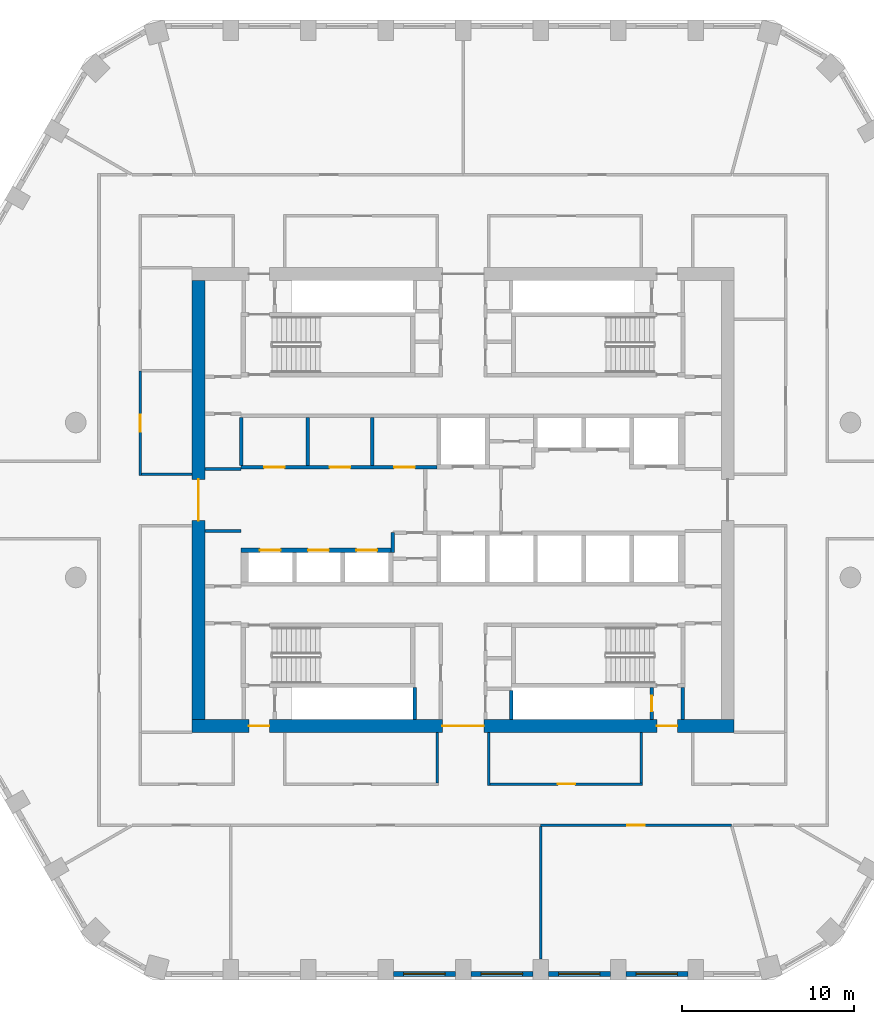
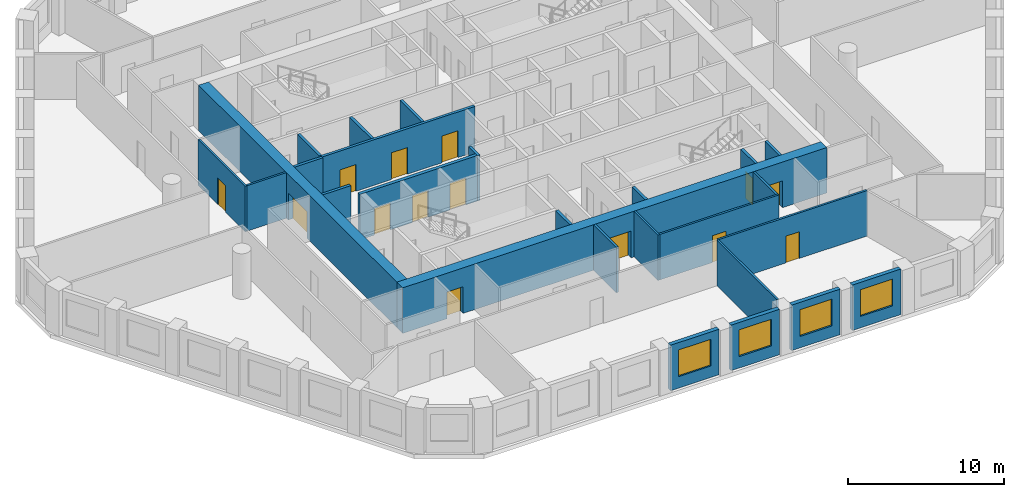
# One storey, part 3 of 10: 26 walls, 14 doors, 4 windows, 18 openings.
"""IFC4 building model written with IfcOpenShell, lengths in metres."""

from ifc_helpers import new_model, si_unit, direction, frame, frame_2d, origin, place, context, subcontext, project, spatial, rectangle, extrude, material, layer, layer_set, type_object, element, fill, save


model = new_model("IFC4")

# Units and contexts
model_context = context("Model", 3, precision=1e-05, world=origin(), true_north=direction((0.0, 1.0)))
body_context = subcontext(model_context, "Body", "Model", "MODEL_VIEW")
ifc_project = project(units=[si_unit("LENGTHUNIT", "METRE"), si_unit("AREAUNIT", "SQUARE_METRE"), si_unit("VOLUMEUNIT", "CUBIC_METRE"), si_unit("PLANEANGLEUNIT", "RADIAN"), si_unit("MASSUNIT", "GRAM", prefix="KILO")], contexts=[model_context])

# Site, building, storey
site_placement = place(None, origin())
site = spatial("IfcSite", under=ifc_project, at=site_placement, CompositionType="ELEMENT")
building_placement = place(site_placement, origin())
building = spatial("IfcBuilding", under=site, at=building_placement, Name="Dhurran Vertical Campus", CompositionType="ELEMENT")
storey_placement = place(building_placement, frame((0.0, 0.0, 144.300048828125)))
storey = spatial("IfcBuildingStorey", under=building, at=storey_placement, Name="L35", CompositionType="ELEMENT", Elevation=144.300048828125)

# Wall, opening, window
ifc_material_1 = material(Name="Precast concrete C50/60", Category="concrete")
ifc_layer_1 = layer(ifc_material_1, 0.300048828125)
ifc_layer_set_1 = layer_set([ifc_layer_1], Name="Precast concrete C50/60")
wall_type_1 = type_object("IfcWallType", Name="Precast spandrel wall 300", PredefinedType="SOLIDWALL", material=ifc_layer_set_1)
wall_1_placement = place(storey_placement, frame((-4.049560546875, -27.53271484375, 0.0), z_axis=(0.0, 0.0, 1.0), x_axis=(1.0, 0.0, 0.0)))
wall_1 = element("IfcWall", 1, at=wall_1_placement, inside=storey, type_object=wall_type_1, Name="EW1 L35.03", PredefinedType="SOLIDWALL", context=body_context, shape_type="SweptSolid", body=[
    extrude(rectangle(XDim=3.59912109375, YDim=0.300048828125, at=frame_2d((1.799560546875, 0.0))), origin(), (0.0, 0.0, 1.0), 3.574951171875),
])
opening_1_placement = place(wall_1_placement, frame((0.599609375, 0.0, 0.89990234375)))
opening_1 = element("IfcOpeningElement", 2, at=opening_1_placement, cuts=wall_1, Name="Opening WT1", PredefinedType="OPENING", context=body_context, shape_type="SweptSolid", body=[
    extrude(rectangle(XDim=2.39990234375, YDim=2.10009765625, at=frame_2d((1.199951171875, 1.050048828125))), frame((0.0, 0.159912109375, 0.0), z_axis=(0.0, -1.0, 0.0), x_axis=(1.0, 0.0, 0.0)), (0.0, 0.0, 1.0), 0.320068359375),
])
ifc_material_2 = material(Name="Aluminium frame with solar-control glass", Category="aluminium")
window_type = type_object("IfcWindowType", Name="Punched window 2400 x 2100", PartitioningType="SINGLE_PANEL", PredefinedType="WINDOW", material=ifc_material_2)
window_1_placement = place(opening_1_placement, origin())
window_1 = element("IfcWindow", 3, at=window_1_placement, inside=storey, type_object=window_type, Name="WT1 L35.03", OverallHeight=2.10009765625, OverallWidth=2.39990234375, PartitioningType="SINGLE_PANEL", PredefinedType="WINDOW", context=body_context, shape_type="SweptSolid", body=[
    extrude(rectangle(XDim=2.39990234375, YDim=2.10009765625, at=frame_2d((1.199951171875, 1.050048828125))), frame((0.0, 0.030029296875, 0.0), z_axis=(0.0, -1.0, 0.0), x_axis=(1.0, 0.0, 0.0)), (0.0, 0.0, 1.0), 0.06005859375),
])
fill(opening_1, window_1)

wall_2_placement = place(storey_placement, frame((0.450439453125, -27.53271484375, 0.0), z_axis=(0.0, 0.0, 1.0), x_axis=(1.0, 0.0, 0.0)))
wall_2 = element("IfcWall", 4, at=wall_2_placement, inside=storey, type_object=wall_type_1, Name="EW1 L35.04", PredefinedType="SOLIDWALL", context=body_context, shape_type="SweptSolid", body=[
    extrude(rectangle(XDim=3.59912109375, YDim=0.300048828125, at=frame_2d((1.799560546875, 0.0))), origin(), (0.0, 0.0, 1.0), 3.574951171875),
])
opening_2_placement = place(wall_2_placement, frame((0.599609375, 0.0, 0.89990234375)))
opening_2 = element("IfcOpeningElement", 5, at=opening_2_placement, cuts=wall_2, Name="Opening WT1", PredefinedType="OPENING", context=body_context, shape_type="SweptSolid", body=[
    extrude(rectangle(XDim=2.39990234375, YDim=2.10009765625, at=frame_2d((1.199951171875, 1.050048828125))), frame((0.0, 0.159912109375, 0.0), z_axis=(0.0, -1.0, 0.0), x_axis=(1.0, 0.0, 0.0)), (0.0, 0.0, 1.0), 0.320068359375),
])
window_2_placement = place(opening_2_placement, origin())
window_2 = element("IfcWindow", 6, at=window_2_placement, inside=storey, type_object=window_type, Name="WT1 L35.04", OverallHeight=2.10009765625, OverallWidth=2.39990234375, PartitioningType="SINGLE_PANEL", PredefinedType="WINDOW", context=body_context, shape_type="SweptSolid", body=[
    extrude(rectangle(XDim=2.39990234375, YDim=2.10009765625, at=frame_2d((1.199951171875, 1.050048828125))), frame((0.0, 0.030029296875, 0.0), z_axis=(0.0, -1.0, 0.0), x_axis=(1.0, 0.0, 0.0)), (0.0, 0.0, 1.0), 0.06005859375),
])
fill(opening_2, window_2)

wall_3_placement = place(storey_placement, frame((4.950439453125, -27.53271484375, 0.0), z_axis=(0.0, 0.0, 1.0), x_axis=(1.0, 0.0, 0.0)))
wall_3 = element("IfcWall", 7, at=wall_3_placement, inside=storey, type_object=wall_type_1, Name="EW1 L35.05", PredefinedType="SOLIDWALL", context=body_context, shape_type="SweptSolid", body=[
    extrude(rectangle(XDim=3.59912109375, YDim=0.300048828125, at=frame_2d((1.799560546875, 0.0))), origin(), (0.0, 0.0, 1.0), 3.574951171875),
])
opening_3_placement = place(wall_3_placement, frame((0.599609375, 0.0, 0.89990234375)))
opening_3 = element("IfcOpeningElement", 8, at=opening_3_placement, cuts=wall_3, Name="Opening WT1", PredefinedType="OPENING", context=body_context, shape_type="SweptSolid", body=[
    extrude(rectangle(XDim=2.39990234375, YDim=2.10009765625, at=frame_2d((1.199951171875, 1.050048828125))), frame((0.0, 0.159912109375, 0.0), z_axis=(0.0, -1.0, 0.0), x_axis=(1.0, 0.0, 0.0)), (0.0, 0.0, 1.0), 0.320068359375),
])
window_3_placement = place(opening_3_placement, origin())
window_3 = element("IfcWindow", 9, at=window_3_placement, inside=storey, type_object=window_type, Name="WT1 L35.05", OverallHeight=2.10009765625, OverallWidth=2.39990234375, PartitioningType="SINGLE_PANEL", PredefinedType="WINDOW", context=body_context, shape_type="SweptSolid", body=[
    extrude(rectangle(XDim=2.39990234375, YDim=2.10009765625, at=frame_2d((1.199951171875, 1.050048828125))), frame((0.0, 0.030029296875, 0.0), z_axis=(0.0, -1.0, 0.0), x_axis=(1.0, 0.0, 0.0)), (0.0, 0.0, 1.0), 0.06005859375),
])
fill(opening_3, window_3)

wall_4_placement = place(storey_placement, frame((9.450439453125, -27.53271484375, 0.0), z_axis=(0.0, 0.0, 1.0), x_axis=(1.0, 0.0, 0.0)))
wall_4 = element("IfcWall", 10, at=wall_4_placement, inside=storey, type_object=wall_type_1, Name="EW1 L35.06", PredefinedType="SOLIDWALL", context=body_context, shape_type="SweptSolid", body=[
    extrude(rectangle(XDim=3.59912109375, YDim=0.300048828125, at=frame_2d((1.799560546875, 0.0))), origin(), (0.0, 0.0, 1.0), 3.574951171875),
])
opening_4_placement = place(wall_4_placement, frame((0.599609375, 0.0, 0.89990234375)))
opening_4 = element("IfcOpeningElement", 11, at=opening_4_placement, cuts=wall_4, Name="Opening WT1", PredefinedType="OPENING", context=body_context, shape_type="SweptSolid", body=[
    extrude(rectangle(XDim=2.39990234375, YDim=2.10009765625, at=frame_2d((1.199951171875, 1.050048828125))), frame((0.0, 0.159912109375, 0.0), z_axis=(0.0, -1.0, 0.0), x_axis=(1.0, 0.0, 0.0)), (0.0, 0.0, 1.0), 0.320068359375),
])
window_4_placement = place(opening_4_placement, origin())
window_4 = element("IfcWindow", 12, at=window_4_placement, inside=storey, type_object=window_type, Name="WT1 L35.06", OverallHeight=2.10009765625, OverallWidth=2.39990234375, PartitioningType="SINGLE_PANEL", PredefinedType="WINDOW", context=body_context, shape_type="SweptSolid", body=[
    extrude(rectangle(XDim=2.39990234375, YDim=2.10009765625, at=frame_2d((1.199951171875, 1.050048828125))), frame((0.0, 0.030029296875, 0.0), z_axis=(0.0, -1.0, 0.0), x_axis=(1.0, 0.0, 0.0)), (0.0, 0.0, 1.0), 0.06005859375),
])
fill(opening_4, window_4)

# Wall, openings, doors
ifc_material_3 = material(Name="Concrete C60/75", Category="concrete")
ifc_layer_2 = layer(ifc_material_3, 0.75)
ifc_layer_set_2 = layer_set([ifc_layer_2], Name="Concrete C60/75")
wall_type_2 = type_object("IfcWallType", Name="co-CORE-WALL-C1-750", PredefinedType="SHEAR", material=ifc_layer_set_2)
wall_5_placement = place(storey_placement, frame((-15.75, -13.125, 0.0), z_axis=(0.0, 0.0, 1.0), x_axis=(1.0, 0.0, 0.0)))
wall_5 = element("IfcWall", 13, at=wall_5_placement, inside=storey, type_object=wall_type_2, Name="Core wall S L35", PredefinedType="SHEAR", context=body_context, shape_type="SweptSolid", body=[
    extrude(rectangle(XDim=31.5, YDim=0.75, at=frame_2d((15.75, 0.0))), origin(), (0.0, 0.0, 1.0), 3.574951171875),
])
opening_5_placement = place(wall_5_placement, frame((14.550048828125, 0.0, 0.0)))
opening_5 = element("IfcOpeningElement", 14, at=opening_5_placement, cuts=wall_5, Name="Opening CV2", PredefinedType="OPENING", context=body_context, shape_type="SweptSolid", body=[
    extrude(rectangle(XDim=2.39990234375, YDim=2.10009765625, at=frame_2d((1.199951171875, 1.050048828125))), frame((0.0, 0.385009765625, 0.0), z_axis=(0.0, -1.0, 0.0), x_axis=(1.0, 0.0, 0.0)), (0.0, 0.0, 1.0), 0.77001953125),
])
opening_6_placement = place(wall_5_placement, frame((3.300048828125, 0.0, 0.0)))
opening_6 = element("IfcOpeningElement", 15, at=opening_6_placement, cuts=wall_5, Name="Opening XD3", PredefinedType="OPENING", context=body_context, shape_type="SweptSolid", body=[
    extrude(rectangle(XDim=1.199951171875, YDim=2.10009765625, at=frame_2d((0.60009765625, 1.050048828125))), frame((0.0, 0.385009765625, 0.0), z_axis=(0.0, -1.0, 0.0), x_axis=(1.0, 0.0, 0.0)), (0.0, 0.0, 1.0), 0.77001953125),
])
opening_7_placement = place(wall_5_placement, frame((27.0, 0.0, 0.0)))
opening_7 = element("IfcOpeningElement", 16, at=opening_7_placement, cuts=wall_5, Name="Opening XD4", PredefinedType="OPENING", context=body_context, shape_type="SweptSolid", body=[
    extrude(rectangle(XDim=1.199951171875, YDim=2.10009765625, at=frame_2d((0.60009765625, 1.050048828125))), frame((0.0, 0.385009765625, 0.0), z_axis=(0.0, -1.0, 0.0), x_axis=(1.0, 0.0, 0.0)), (0.0, 0.0, 1.0), 0.77001953125),
])
ifc_material_4 = material(Name="Fire-rated glazed door set")
door_type_1 = type_object("IfcDoorType", Name="co-D-LOBBY 2400x2100", OperationType="DOUBLE_DOOR_DOUBLE_SWING", PredefinedType="DOOR", material=ifc_material_4)
door_1_placement = place(opening_5_placement, origin())
door_1 = element("IfcDoor", 17, at=door_1_placement, inside=storey, type_object=door_type_1, Name="Core vestibule door S L35", OperationType="DOUBLE_DOOR_DOUBLE_SWING", OverallHeight=2.10009765625, OverallWidth=2.39990234375, PredefinedType="DOOR", context=body_context, shape_type="SweptSolid", body=[
    extrude(rectangle(XDim=2.39990234375, YDim=2.10009765625, at=frame_2d((1.199951171875, 1.050048828125))), frame((0.0, 0.02490234375, 0.0), z_axis=(0.0, -1.0, 0.0), x_axis=(1.0, 0.0, 0.0)), (0.0, 0.0, 1.0), 0.050048828125),
])
fill(opening_5, door_1)
ifc_material_5 = material(Name="Fire-rated steel door set", Category="steel")
door_type_2 = type_object("IfcDoorType", Name="co-D-STAIR-EXIT 1200x2100", OperationType="SINGLE_SWING_RIGHT", PredefinedType="DOOR", material=ifc_material_5)
door_2_placement = place(opening_6_placement, origin())
door_2 = element("IfcDoor", 18, at=door_2_placement, inside=storey, type_object=door_type_2, Name="Stair ST3 exit door L35", OperationType="SINGLE_SWING_RIGHT", OverallHeight=2.10009765625, OverallWidth=1.199951171875, PredefinedType="DOOR", context=body_context, shape_type="SweptSolid", body=[
    extrude(rectangle(XDim=1.199951171875, YDim=2.10009765625, at=frame_2d((0.60009765625, 1.050048828125))), frame((0.0, 0.02490234375, 0.0), z_axis=(0.0, -1.0, 0.0), x_axis=(1.0, 0.0, 0.0)), (0.0, 0.0, 1.0), 0.050048828125),
])
fill(opening_6, door_2)
door_3_placement = place(opening_7_placement, origin())
door_3 = element("IfcDoor", 19, at=door_3_placement, inside=storey, type_object=door_type_2, Name="Stair ST4 exit door L35", OperationType="SINGLE_SWING_RIGHT", OverallHeight=2.10009765625, OverallWidth=1.199951171875, PredefinedType="DOOR", context=body_context, shape_type="SweptSolid", body=[
    extrude(rectangle(XDim=1.199951171875, YDim=2.10009765625, at=frame_2d((0.60009765625, 1.050048828125))), frame((0.0, 0.02490234375, 0.0), z_axis=(0.0, -1.0, 0.0), x_axis=(1.0, 0.0, 0.0)), (0.0, 0.0, 1.0), 0.050048828125),
])
fill(opening_7, door_3)

# Wall, opening, door
wall_6_placement = place(storey_placement, frame((-15.375, -12.75, 0.0), z_axis=(0.0, 0.0, 1.0), x_axis=(0.0, 1.0, 0.0)))
wall_6 = element("IfcWall", 20, at=wall_6_placement, inside=storey, type_object=wall_type_2, Name="Core wall W L35", PredefinedType="SHEAR", context=body_context, shape_type="SweptSolid", body=[
    extrude(rectangle(XDim=25.5, YDim=0.75, at=frame_2d((12.75, 0.0))), origin(), (0.0, 0.0, 1.0), 3.574951171875),
])
opening_8_placement = place(wall_6_placement, frame((11.550048828125, 0.0, 0.0)))
opening_8 = element("IfcOpeningElement", 21, at=opening_8_placement, cuts=wall_6, Name="Opening CL1", PredefinedType="OPENING", context=body_context, shape_type="SweptSolid", body=[
    extrude(rectangle(XDim=2.39990234375, YDim=2.10009765625, at=frame_2d((1.199951171875, 1.050048828125))), frame((0.0, 0.385009765625, 0.0), z_axis=(0.0, -1.0, 0.0), x_axis=(1.0, 0.0, 0.0)), (0.0, 0.0, 1.0), 0.77001953125),
])
door_4_placement = place(opening_8_placement, origin())
door_4 = element("IfcDoor", 22, at=door_4_placement, inside=storey, type_object=door_type_1, Name="Lift lobby door W L35", OperationType="DOUBLE_DOOR_DOUBLE_SWING", OverallHeight=2.10009765625, OverallWidth=2.39990234375, PredefinedType="DOOR", context=body_context, shape_type="SweptSolid", body=[
    extrude(rectangle(XDim=2.39990234375, YDim=2.10009765625, at=frame_2d((1.199951171875, 1.050048828125))), frame((0.0, 0.02490234375, 0.0), z_axis=(0.0, -1.0, 0.0), x_axis=(1.0, 0.0, 0.0)), (0.0, 0.0, 1.0), 0.050048828125),
])
fill(opening_8, door_4)

# Wall
ifc_material_6 = material(Name="Fire-rated masonry blockwork", Category="masonry")
ifc_layer_3 = layer(ifc_material_6, 0.199951171875)
ifc_layer_set_3 = layer_set([ifc_layer_3], Name="Fire-rated masonry blockwork")
wall_type_3 = type_object("IfcWallType", Name="co-FIRE-PARTITION-200", PredefinedType="PARTITIONING", material=ifc_layer_set_3)
wall_7_placement = place(storey_placement, frame((12.75, -12.75, 0.0), z_axis=(0.0, 0.0, 1.0), x_axis=(0.0, 1.0, 0.0)))
element("IfcWall", 23, at=wall_7_placement, inside=storey, type_object=wall_type_3, Name="Core partition pass-ST4-o L35", PredefinedType="PARTITIONING", context=body_context, shape_type="SweptSolid", body=[
    extrude(rectangle(XDim=1.85009765625, YDim=0.199951171875, at=frame_2d((0.925048828125, 0.0))), origin(), (0.0, 0.0, 1.0), 3.574951171875),
])

# Wall, opening, door
wall_8_placement = place(storey_placement, frame((10.949951171875, -12.75, 0.0), z_axis=(0.0, 0.0, 1.0), x_axis=(0.0, 1.0, 0.0)))
wall_8 = element("IfcWall", 24, at=wall_8_placement, inside=storey, type_object=wall_type_3, Name="Core partition pass-ST4-i L35", PredefinedType="PARTITIONING", context=body_context, shape_type="SweptSolid", body=[
    extrude(rectangle(XDim=1.85009765625, YDim=0.199951171875, at=frame_2d((0.925048828125, 0.0))), origin(), (0.0, 0.0, 1.0), 3.574951171875),
])
opening_9_placement = place(wall_8_placement, frame((0.47509765625, 0.0, 0.0)))
opening_9 = element("IfcOpeningElement", 25, at=opening_9_placement, cuts=wall_8, Name="Opening T10-C14", PredefinedType="OPENING", context=body_context, shape_type="SweptSolid", body=[
    extrude(rectangle(XDim=0.89990234375, YDim=2.10009765625, at=frame_2d((0.449951171875, 1.050048828125))), frame((0.0, 0.10986328125, 0.0), z_axis=(0.0, -1.0, 0.0), x_axis=(1.0, 0.0, 0.0)), (0.0, 0.0, 1.0), 0.219970703125),
])
ifc_material_7 = material(Name="Fire-rated timber door set", Category="wood")
door_type_3 = type_object("IfcDoorType", Name="co-D-ROOM 900x2100", OperationType="SINGLE_SWING_LEFT", PredefinedType="DOOR", material=ifc_material_7)
door_5_placement = place(opening_9_placement, origin())
door_5 = element("IfcDoor", 26, at=door_5_placement, inside=storey, type_object=door_type_3, Name="Riser room door L35", OperationType="SINGLE_SWING_LEFT", OverallHeight=2.10009765625, OverallWidth=0.89990234375, PredefinedType="DOOR", context=body_context, shape_type="SweptSolid", body=[
    extrude(rectangle(XDim=0.89990234375, YDim=2.10009765625, at=frame_2d((0.449951171875, 1.050048828125))), frame((0.0, 0.02490234375, 0.0), z_axis=(0.0, -1.0, 0.0), x_axis=(1.0, 0.0, 0.0)), (0.0, 0.0, 1.0), 0.050048828125),
])
fill(opening_9, door_5)

# Walls
for number, where, z_axis, x_axis, name in (
    (27, (-15.0, 1.800048828125, 0.0), (0.0, 0.0, 1.0), (1.0, 0.0, 0.0), "Core partition es-NW-l L35"),
    (28, (-15.0, -1.800048828125, 0.0), (0.0, 0.0, 1.0), (1.0, 0.0, 0.0), "Core partition es-SW-l L35"),
):
    element("IfcWall", number, at=place(storey_placement, frame(where, z_axis=z_axis, x_axis=x_axis)), inside=storey, type_object=wall_type_3, Name=name, PredefinedType="PARTITIONING", context=body_context, shape_type="SweptSolid", body=[
        extrude(rectangle(XDim=2.10009765625, YDim=0.199951171875, at=frame_2d((1.050048828125, 0.0))), origin(), (0.0, 0.0, 1.0), 3.574951171875),
    ])
for number, where, z_axis, x_axis, name in (
    (29, (-9.032470703125, 2.0, 0.0), (0.0, 0.0, 1.0), (0.0, 1.0, 0.0), "Core partition fr-N0-cut0 L35"),
    (30, (-5.27880859375, 2.0, 0.0), (0.0, 0.0, 1.0), (0.0, 1.0, 0.0), "Core partition fr-N0-cut1 L35"),
):
    element("IfcWall", number, at=place(storey_placement, frame(where, z_axis=z_axis, x_axis=x_axis)), inside=storey, type_object=wall_type_3, Name=name, PredefinedType="PARTITIONING", context=body_context, shape_type="SweptSolid", body=[
        extrude(rectangle(XDim=2.800048828125, YDim=0.199951171875, at=frame_2d((1.39990234375, 0.0))), origin(), (0.0, 0.0, 1.0), 3.574951171875),
    ])

# Wall, openings, doors
wall_9_placement = place(storey_placement, frame((-12.89990234375, 1.89990234375, 0.0), z_axis=(0.0, 0.0, 1.0), x_axis=(1.0, 0.0, 0.0)))
wall_9 = element("IfcWall", 31, at=wall_9_placement, inside=storey, type_object=wall_type_3, Name="Core partition fr-N0-f L35", PredefinedType="PARTITIONING", context=body_context, shape_type="SweptSolid", body=[
    extrude(rectangle(XDim=11.375, YDim=0.199951171875, at=frame_2d((5.6875, 0.0))), origin(), (0.0, 0.0, 1.0), 3.574951171875),
])
opening_10_placement = place(wall_9_placement, frame((1.333740234375, 0.0, 0.0)))
opening_10 = element("IfcOpeningElement", 32, at=opening_10_placement, cuts=wall_9, Name="Opening T10-C23", PredefinedType="OPENING", context=body_context, shape_type="SweptSolid", body=[
    extrude(rectangle(XDim=1.199951171875, YDim=2.10009765625, at=frame_2d((0.60009765625, 1.050048828125))), frame((0.0, 0.10986328125, 0.0), z_axis=(0.0, -1.0, 0.0), x_axis=(1.0, 0.0, 0.0)), (0.0, 0.0, 1.0), 0.219970703125),
])
opening_11_placement = place(wall_9_placement, frame((5.144287109375, 0.0, 0.0)))
opening_11 = element("IfcOpeningElement", 33, at=opening_11_placement, cuts=wall_9, Name="Opening T10-C24", PredefinedType="OPENING", context=body_context, shape_type="SweptSolid", body=[
    extrude(rectangle(XDim=1.199951171875, YDim=2.10009765625, at=frame_2d((0.60009765625, 1.050048828125))), frame((0.0, 0.10986328125, 0.0), z_axis=(0.0, -1.0, 0.0), x_axis=(1.0, 0.0, 0.0)), (0.0, 0.0, 1.0), 0.219970703125),
])
opening_12_placement = place(wall_9_placement, frame((8.898193359375, 0.0, 0.0)))
opening_12 = element("IfcOpeningElement", 34, at=opening_12_placement, cuts=wall_9, Name="Opening T10-C25", PredefinedType="OPENING", context=body_context, shape_type="SweptSolid", body=[
    extrude(rectangle(XDim=1.199951171875, YDim=2.10009765625, at=frame_2d((0.60009765625, 1.050048828125))), frame((0.0, 0.10986328125, 0.0), z_axis=(0.0, -1.0, 0.0), x_axis=(1.0, 0.0, 0.0)), (0.0, 0.0, 1.0), 0.219970703125),
])
ifc_material_8 = material(Name="Fire-rated steel door set", Category="steel")
door_type_4 = type_object("IfcDoorType", Name="co-D-ROOM-PASSAGE 1200x2100", OperationType="SINGLE_SWING_RIGHT", PredefinedType="DOOR", material=ifc_material_8)
door_6_placement = place(opening_10_placement, origin())
door_6 = element("IfcDoor", 35, at=door_6_placement, inside=storey, type_object=door_type_4, Name="Cleaner's store door L35", OperationType="SINGLE_SWING_RIGHT", OverallHeight=2.10009765625, OverallWidth=1.199951171875, PredefinedType="DOOR", context=body_context, shape_type="SweptSolid", body=[
    extrude(rectangle(XDim=1.199951171875, YDim=2.10009765625, at=frame_2d((0.60009765625, 1.050048828125))), frame((0.0, 0.02490234375, 0.0), z_axis=(0.0, -1.0, 0.0), x_axis=(1.0, 0.0, 0.0)), (0.0, 0.0, 1.0), 0.050048828125),
])
fill(opening_10, door_6)
door_7_placement = place(opening_11_placement, origin())
door_7 = element("IfcDoor", 36, at=door_7_placement, inside=storey, type_object=door_type_4, Name="Cleaner's store door L35", OperationType="SINGLE_SWING_RIGHT", OverallHeight=2.10009765625, OverallWidth=1.199951171875, PredefinedType="DOOR", context=body_context, shape_type="SweptSolid", body=[
    extrude(rectangle(XDim=1.199951171875, YDim=2.10009765625, at=frame_2d((0.60009765625, 1.050048828125))), frame((0.0, 0.02490234375, 0.0), z_axis=(0.0, -1.0, 0.0), x_axis=(1.0, 0.0, 0.0)), (0.0, 0.0, 1.0), 0.050048828125),
])
fill(opening_11, door_7)
door_8_placement = place(opening_12_placement, origin())
door_8 = element("IfcDoor", 37, at=door_8_placement, inside=storey, type_object=door_type_4, Name="Electrical riser door L35", OperationType="SINGLE_SWING_RIGHT", OverallHeight=2.10009765625, OverallWidth=1.199951171875, PredefinedType="DOOR", context=body_context, shape_type="SweptSolid", body=[
    extrude(rectangle(XDim=1.199951171875, YDim=2.10009765625, at=frame_2d((0.60009765625, 1.050048828125))), frame((0.0, 0.02490234375, 0.0), z_axis=(0.0, -1.0, 0.0), x_axis=(1.0, 0.0, 0.0)), (0.0, 0.0, 1.0), 0.050048828125),
])
fill(opening_12, door_8)

# Walls
wall_10_placement = place(storey_placement, frame((-12.89990234375, 2.0, 0.0), z_axis=(0.0, 0.0, 1.0), x_axis=(0.0, 1.0, 0.0)))
element("IfcWall", 38, at=wall_10_placement, inside=storey, type_object=wall_type_3, Name="Core partition fr-N0-e0 L35", PredefinedType="PARTITIONING", context=body_context, shape_type="SweptSolid", body=[
    extrude(rectangle(XDim=2.800048828125, YDim=0.199951171875, at=frame_2d((1.39990234375, 0.0))), origin(), (0.0, 0.0, 1.0), 3.574951171875),
])
wall_11_placement = place(storey_placement, frame((-4.074951171875, -1.89990234375, 0.0), z_axis=(0.0, 0.0, 1.0), x_axis=(0.0, -1.0, 0.0)))
element("IfcWall", 39, at=wall_11_placement, inside=storey, type_object=wall_type_3, Name="Core partition fr-S0-n0 L35", PredefinedType="PARTITIONING", context=body_context, shape_type="SweptSolid", body=[
    extrude(rectangle(XDim=1.150146484375, YDim=0.199951171875, at=frame_2d((0.5751953125, 0.0))), origin(), (0.0, 0.0, 1.0), 3.574951171875),
])
wall_12_placement = place(storey_placement, frame((-2.800048828125, -12.7490234375, 0.0), z_axis=(0.0, 0.0, 1.0), x_axis=(0.0, 1.0, 0.0)))
element("IfcWall", 40, at=wall_12_placement, inside=storey, type_object=wall_type_3, Name="Riser enclosure wall L35", PredefinedType="PARTITIONING", context=body_context, shape_type="SweptSolid", body=[
    extrude(rectangle(XDim=1.84814453125, YDim=0.199951171875, at=frame_2d((0.924072265625, 0.0))), origin(), (0.0, 0.0, 1.0), 3.574951171875),
])
wall_13_placement = place(storey_placement, frame((2.800048828125, -11.069091796875, 0.0), z_axis=(0.0, 0.0, 1.0), x_axis=(0.0, -1.0, 0.0)))
element("IfcWall", 41, at=wall_13_placement, inside=storey, type_object=wall_type_3, Name="Riser enclosure wall L35", PredefinedType="PARTITIONING", context=body_context, shape_type="SweptSolid", body=[
    extrude(rectangle(XDim=1.679931640625, YDim=0.199951171875, at=frame_2d((0.83984375, 0.0))), origin(), (0.0, 0.0, 1.0), 3.574951171875),
])

# Wall, openings, doors
ifc_material_9 = material(Name="Concrete C50/60", Category="concrete")
ifc_layer_4 = layer(ifc_material_9, 0.25)
ifc_layer_set_4 = layer_set([ifc_layer_4], Name="Concrete C50/60")
wall_type_4 = type_object("IfcWallType", Name="co-SHAFT-FRONT-250", PredefinedType="SHEAR", material=ifc_layer_set_4)
wall_14_placement = place(storey_placement, frame((-12.89990234375, -2.925048828125, 0.0), z_axis=(0.0, 0.0, 1.0), x_axis=(1.0, 0.0, 0.0)))
wall_14 = element("IfcWall", 42, at=wall_14_placement, inside=storey, type_object=wall_type_4, Name="Lift landing wall S L35", PredefinedType="SHEAR", context=body_context, shape_type="SweptSolid", body=[
    extrude(rectangle(XDim=8.824951171875, YDim=0.25, at=frame_2d((4.41259765625, 0.0))), origin(), (0.0, 0.0, 1.0), 3.574951171875),
])
opening_13_placement = place(wall_14_placement, frame((1.10009765625, 0.0, 0.0)))
opening_13 = element("IfcOpeningElement", 43, at=opening_13_placement, cuts=wall_14, Name="Opening LD", PredefinedType="OPENING", context=body_context, shape_type="SweptSolid", body=[
    extrude(rectangle(XDim=1.199951171875, YDim=2.10009765625, at=frame_2d((0.60009765625, 1.050048828125))), frame((0.0, 0.135009765625, 0.0), z_axis=(0.0, -1.0, 0.0), x_axis=(1.0, 0.0, 0.0)), (0.0, 0.0, 1.0), 0.27001953125),
])
opening_14_placement = place(wall_14_placement, frame((3.89990234375, 0.0, 0.0)))
opening_14 = element("IfcOpeningElement", 44, at=opening_14_placement, cuts=wall_14, Name="Opening LD", PredefinedType="OPENING", context=body_context, shape_type="SweptSolid", body=[
    extrude(rectangle(XDim=1.199951171875, YDim=2.10009765625, at=frame_2d((0.60009765625, 1.050048828125))), frame((0.0, 0.135009765625, 0.0), z_axis=(0.0, -1.0, 0.0), x_axis=(1.0, 0.0, 0.0)), (0.0, 0.0, 1.0), 0.27001953125),
])
opening_15_placement = place(wall_14_placement, frame((6.699951171875, 0.0, 0.0)))
opening_15 = element("IfcOpeningElement", 45, at=opening_15_placement, cuts=wall_14, Name="Opening LD", PredefinedType="OPENING", context=body_context, shape_type="SweptSolid", body=[
    extrude(rectangle(XDim=1.199951171875, YDim=2.10009765625, at=frame_2d((0.60009765625, 1.050048828125))), frame((0.0, 0.135009765625, 0.0), z_axis=(0.0, -1.0, 0.0), x_axis=(1.0, 0.0, 0.0)), (0.0, 0.0, 1.0), 0.27001953125),
])
ifc_material_10 = material(Name="Stainless steel landing door", Category="steel")
door_type_5 = type_object("IfcDoorType", Name="co-D-LANDING 1200x2100", OperationType="DOUBLE_DOOR_SLIDING", PredefinedType="DOOR", material=ifc_material_10)
door_9_placement = place(opening_13_placement, origin())
door_9 = element("IfcDoor", 46, at=door_9_placement, inside=storey, type_object=door_type_5, Name="Landing door MR3 L35", OperationType="DOUBLE_DOOR_SLIDING", OverallHeight=2.10009765625, OverallWidth=1.199951171875, PredefinedType="DOOR", context=body_context, shape_type="SweptSolid", body=[
    extrude(rectangle(XDim=1.199951171875, YDim=2.10009765625, at=frame_2d((0.60009765625, 1.050048828125))), frame((0.0, 0.02490234375, 0.0), z_axis=(0.0, -1.0, 0.0), x_axis=(1.0, 0.0, 0.0)), (0.0, 0.0, 1.0), 0.050048828125),
])
fill(opening_13, door_9)
door_10_placement = place(opening_14_placement, origin())
door_10 = element("IfcDoor", 47, at=door_10_placement, inside=storey, type_object=door_type_5, Name="Landing door MR4 L35", OperationType="DOUBLE_DOOR_SLIDING", OverallHeight=2.10009765625, OverallWidth=1.199951171875, PredefinedType="DOOR", context=body_context, shape_type="SweptSolid", body=[
    extrude(rectangle(XDim=1.199951171875, YDim=2.10009765625, at=frame_2d((0.60009765625, 1.050048828125))), frame((0.0, 0.02490234375, 0.0), z_axis=(0.0, -1.0, 0.0), x_axis=(1.0, 0.0, 0.0)), (0.0, 0.0, 1.0), 0.050048828125),
])
fill(opening_14, door_10)
door_11_placement = place(opening_15_placement, origin())
door_11 = element("IfcDoor", 48, at=door_11_placement, inside=storey, type_object=door_type_5, Name="Landing door MR5 L35", OperationType="DOUBLE_DOOR_SLIDING", OverallHeight=2.10009765625, OverallWidth=1.199951171875, PredefinedType="DOOR", context=body_context, shape_type="SweptSolid", body=[
    extrude(rectangle(XDim=1.199951171875, YDim=2.10009765625, at=frame_2d((0.60009765625, 1.050048828125))), frame((0.0, 0.02490234375, 0.0), z_axis=(0.0, -1.0, 0.0), x_axis=(1.0, 0.0, 0.0)), (0.0, 0.0, 1.0), 0.050048828125),
])
fill(opening_15, door_11)

# Wall, opening, door
ifc_material_11 = material(Name="Gypsum board corridor wall on steel studs", Category="steel")
ifc_layer_5 = layer(ifc_material_11, 0.14990234375)
ifc_layer_set_5 = layer_set([ifc_layer_5], Name="Gypsum board corridor wall on steel studs")
wall_type_5 = type_object("IfcWallType", Name="fl-CW-150 corridor wall", PredefinedType="PARTITIONING", material=ifc_layer_set_5)
wall_15_placement = place(storey_placement, frame((-18.75, 1.425048828125, 0.0), z_axis=(0.0, 0.0, 1.0), x_axis=(0.0, 1.0, 0.0)))
wall_15 = element("IfcWall", 49, at=wall_15_placement, inside=storey, type_object=wall_type_5, Name="Partition 35-16", PredefinedType="PARTITIONING", context=body_context, shape_type="SweptSolid", body=[
    extrude(rectangle(XDim=6.074951171875, YDim=0.14990234375, at=frame_2d((3.03759765625, 0.0))), origin(), (0.0, 0.0, 1.0), 3.574951171875),
])
opening_16_placement = place(wall_15_placement, frame((2.53759765625, 0.0, 0.0)))
opening_16 = element("IfcOpeningElement", 50, at=opening_16_placement, cuts=wall_15, Name="Opening T10.06", PredefinedType="OPENING", context=body_context, shape_type="SweptSolid", body=[
    extrude(rectangle(XDim=1.0, YDim=2.10009765625, at=frame_2d((0.5, 1.050048828125))), frame((0.0, 0.0849609375, 0.0), z_axis=(0.0, -1.0, 0.0), x_axis=(1.0, 0.0, 0.0)), (0.0, 0.0, 1.0), 0.169921875),
])
ifc_material_12 = material(Name="Solid-core timber door set, fire-rated", Category="wood")
door_type_6 = type_object("IfcDoorType", Name="fl-D-1000x2100", OperationType="SINGLE_SWING_LEFT", PredefinedType="DOOR", material=ifc_material_12)
door_12_placement = place(opening_16_placement, origin())
door_12 = element("IfcDoor", 51, at=door_12_placement, inside=storey, type_object=door_type_6, Name="Door 35.06", OperationType="SINGLE_SWING_RIGHT", OverallHeight=2.10009765625, OverallWidth=1.0, PredefinedType="DOOR", context=body_context, shape_type="SweptSolid", body=[
    extrude(rectangle(XDim=1.0, YDim=2.10009765625, at=frame_2d((0.5, 1.050048828125))), frame((0.0, 0.02490234375, 0.0), z_axis=(0.0, -1.0, 0.0), x_axis=(1.0, 0.0, 0.0)), (0.0, 0.0, 1.0), 0.050048828125),
])
fill(opening_16, door_12)

# Walls
for number, where, z_axis, x_axis, name in (
    (52, (-15.75, 1.5, 0.0), (0.0, 0.0, 1.0), (-1.0, 0.0, 0.0), "Partition 35-17"),
    (53, (-1.5, -13.5, 0.0), (0.0, 0.0, 1.0), (0.0, -1.0, 0.0), "Partition 35-33"),
):
    element("IfcWall", number, at=place(storey_placement, frame(where, z_axis=z_axis, x_axis=x_axis)), inside=storey, type_object=wall_type_5, Name=name, PredefinedType="PARTITIONING", context=body_context, shape_type="SweptSolid", body=[
        extrude(rectangle(XDim=2.925048828125, YDim=0.14990234375, at=frame_2d((1.46240234375, 0.0))), origin(), (0.0, 0.0, 1.0), 3.574951171875),
    ])
wall_16_placement = place(storey_placement, frame((1.5, -16.574951171875, 0.0), z_axis=(0.0, 0.0, 1.0), x_axis=(0.0, 1.0, 0.0)))
element("IfcWall", 54, at=wall_16_placement, inside=storey, type_object=wall_type_5, Name="Partition 35-37", PredefinedType="PARTITIONING", context=body_context, shape_type="SweptSolid", body=[
    extrude(rectangle(XDim=3.074951171875, YDim=0.14990234375, at=frame_2d((1.53759765625, 0.0))), origin(), (0.0, 0.0, 1.0), 3.574951171875),
])

# Wall, opening, door
wall_17_placement = place(storey_placement, frame((10.425048828125, -16.5, 0.0), z_axis=(0.0, 0.0, 1.0), x_axis=(-1.0, 0.0, 0.0)))
wall_17 = element("IfcWall", 55, at=wall_17_placement, inside=storey, type_object=wall_type_5, Name="Partition 35-38", PredefinedType="PARTITIONING", context=body_context, shape_type="SweptSolid", body=[
    extrude(rectangle(XDim=8.85009765625, YDim=0.14990234375, at=frame_2d((4.425048828125, 0.0))), origin(), (0.0, 0.0, 1.0), 3.574951171875),
])
opening_17_placement = place(wall_17_placement, frame((3.925048828125, 0.0, 0.0)))
opening_17 = element("IfcOpeningElement", 56, at=opening_17_placement, cuts=wall_17, Name="Opening T10.14", PredefinedType="OPENING", context=body_context, shape_type="SweptSolid", body=[
    extrude(rectangle(XDim=1.0, YDim=2.10009765625, at=frame_2d((0.5, 1.050048828125))), frame((0.0, 0.0849609375, 0.0), z_axis=(0.0, -1.0, 0.0), x_axis=(1.0, 0.0, 0.0)), (0.0, 0.0, 1.0), 0.169921875),
])
door_13_placement = place(opening_17_placement, origin())
door_13 = element("IfcDoor", 57, at=door_13_placement, inside=storey, type_object=door_type_6, Name="Door 35.14", OperationType="SINGLE_SWING_RIGHT", OverallHeight=2.10009765625, OverallWidth=1.0, PredefinedType="DOOR", context=body_context, shape_type="SweptSolid", body=[
    extrude(rectangle(XDim=1.0, YDim=2.10009765625, at=frame_2d((0.5, 1.050048828125))), frame((0.0, 0.02490234375, 0.0), z_axis=(0.0, -1.0, 0.0), x_axis=(1.0, 0.0, 0.0)), (0.0, 0.0, 1.0), 0.050048828125),
])
fill(opening_17, door_13)

wall_18_placement = place(storey_placement, frame((4.5, -18.89990234375, 0.0), z_axis=(0.0, 0.0, 1.0), x_axis=(1.0, 0.0, 0.0)))
wall_18 = element("IfcWall", 58, at=wall_18_placement, inside=storey, type_object=wall_type_5, Name="Partition 35-42", PredefinedType="PARTITIONING", context=body_context, shape_type="SweptSolid", body=[
    extrude(rectangle(XDim=11.093017578125, YDim=0.14990234375, at=frame_2d((5.54638671875, 0.0))), origin(), (0.0, 0.0, 1.0), 3.574951171875),
])
opening_18_placement = place(wall_18_placement, frame((5.04638671875, 0.0, 0.0)))
opening_18 = element("IfcOpeningElement", 59, at=opening_18_placement, cuts=wall_18, Name="Opening T10.17", PredefinedType="OPENING", context=body_context, shape_type="SweptSolid", body=[
    extrude(rectangle(XDim=1.0, YDim=2.10009765625, at=frame_2d((0.5, 1.050048828125))), frame((0.0, 0.0849609375, 0.0), z_axis=(0.0, -1.0, 0.0), x_axis=(1.0, 0.0, 0.0)), (0.0, 0.0, 1.0), 0.169921875),
])
door_14_placement = place(opening_18_placement, origin())
door_14 = element("IfcDoor", 60, at=door_14_placement, inside=storey, type_object=door_type_6, Name="Door 35.17", OperationType="SINGLE_SWING_LEFT", OverallHeight=2.10009765625, OverallWidth=1.0, PredefinedType="DOOR", context=body_context, shape_type="SweptSolid", body=[
    extrude(rectangle(XDim=1.0, YDim=2.10009765625, at=frame_2d((0.5, 1.050048828125))), frame((0.0, 0.02490234375, 0.0), z_axis=(0.0, -1.0, 0.0), x_axis=(1.0, 0.0, 0.0)), (0.0, 0.0, 1.0), 0.050048828125),
])
fill(opening_18, door_14)

# Walls
wall_19_placement = place(storey_placement, frame((10.35009765625, -13.5, 0.0), z_axis=(0.0, 0.0, 1.0), x_axis=(0.0, -1.0, 0.0)))
element("IfcWall", 61, at=wall_19_placement, inside=storey, type_object=wall_type_5, Name="Partition 35-43", PredefinedType="PARTITIONING", context=body_context, shape_type="SweptSolid", body=[
    extrude(rectangle(XDim=2.925048828125, YDim=0.14990234375, at=frame_2d((1.46240234375, 0.0))), origin(), (0.0, 0.0, 1.0), 3.574951171875),
])
ifc_material_13 = material(Name="Gypsum board partition on steel studs", Category="steel")
ifc_layer_6 = layer(ifc_material_13, 0.14990234375)
ifc_layer_set_6 = layer_set([ifc_layer_6], Name="Gypsum board partition on steel studs")
wall_type_6 = type_object("IfcWallType", Name="fl-PW-150 fixed partition", PredefinedType="PARTITIONING", material=ifc_layer_set_6)
wall_20_placement = place(storey_placement, frame((4.5, -18.97509765625, 0.0), z_axis=(0.0, 0.0, 1.0), x_axis=(0.0, -1.0, 0.0)))
element("IfcWall", 62, at=wall_20_placement, inside=storey, type_object=wall_type_6, Name="Partition 35-41", PredefinedType="PARTITIONING", context=body_context, shape_type="SweptSolid", body=[
    extrude(rectangle(XDim=7.6875, YDim=0.14990234375, at=frame_2d((3.84375, 0.0))), origin(), (0.0, 0.0, 1.0), 3.574951171875),
])

save(model, "model.ifc")
